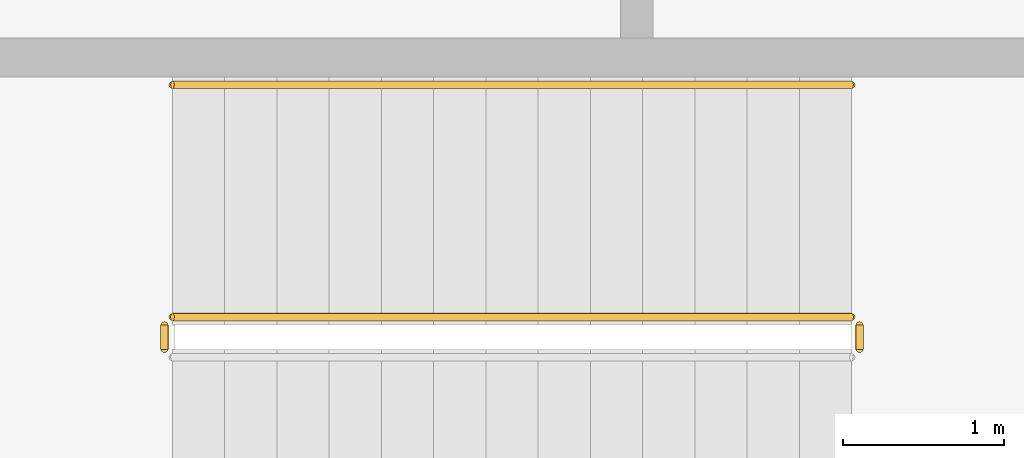
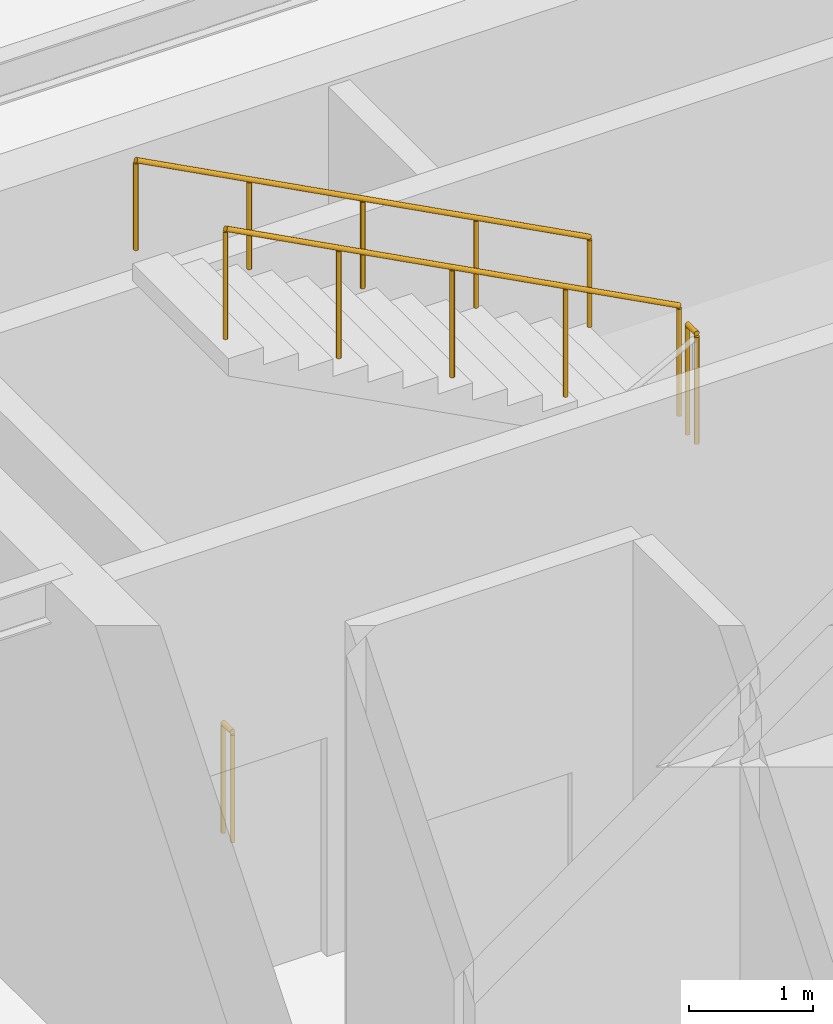
# One storey, part 12 of 14: 4 railings.
"""IFC4 building model written with IfcOpenShell, lengths in metres."""

from ifc_helpers import new_model, si_unit, direction, frame, origin, origin_2d, place, context, subcontext, project, spatial, circle, extrude, material, type_object, element, save


model = new_model("IFC4")

# Units and contexts
model_context = context("Model", 3, precision=1e-05, world=origin(), true_north=direction((0.0, 1.0)))
body_context = subcontext(model_context, "Body", "Model", "MODEL_VIEW")
ifc_project = project(units=[si_unit("LENGTHUNIT", "METRE"), si_unit("AREAUNIT", "SQUARE_METRE"), si_unit("VOLUMEUNIT", "CUBIC_METRE"), si_unit("PLANEANGLEUNIT", "RADIAN"), si_unit("MASSUNIT", "GRAM", prefix="KILO")], contexts=[model_context])

# Site, building, storey
site_placement = place(None, origin())
site = spatial("IfcSite", under=ifc_project, at=site_placement, CompositionType="ELEMENT")
building_placement = place(site_placement, origin())
building = spatial("IfcBuilding", under=site, at=building_placement, Name="Kolvaren Arena Tower", CompositionType="ELEMENT")
storey_placement = place(building_placement, frame((0.0, 0.0, 317.199951171875)))
storey = spatial("IfcBuildingStorey", under=building, at=storey_placement, Name="L78", CompositionType="ELEMENT", Elevation=317.199951171875)

# Railings
ifc_material_1 = material(Name="Painted galvanized steel", Category="steel")
railing_type_1 = type_object("IfcRailingType", Name="GUARD-ST-110", PredefinedType="GUARDRAIL", material=ifc_material_1)
railing_1_placement = place(storey_placement, frame((20.98193359375, 30.43994140625, 2.400146484375)))
element("IfcRailing", 1, at=railing_1_placement, inside=storey, type_object=railing_type_1, Name="L78 ST-W1 stair guard 2", PredefinedType="GUARDRAIL", context=body_context, shape_type="SweptSolid", body=[
    extrude(circle(Radius=0.02392578125, at=origin_2d()), frame((0.0, 0.0, 1.076171875), z_axis=(0.0, 1.0, 0.0), x_axis=(-1.0, 0.0, 0.0)), (0.0, 0.0, 1.0), 0.150146484375),
    extrude(circle(Radius=0.02099609375, at=origin_2d()), origin(), (0.0, 0.0, 1.0), 1.052001953125),
    extrude(circle(Radius=0.02099609375, at=origin_2d()), frame((0.0, 0.150146484375, 0.0)), (0.0, 0.0, 1.0), 1.052001953125),
])
railing_2_placement = place(storey_placement, frame((20.931884765625, 30.639892578125, 2.571533203125)))
element("IfcRailing", 2, at=railing_2_placement, inside=storey, type_object=railing_type_1, Name="L78 ST-W1 stair guard 3", PredefinedType="GUARDRAIL", context=body_context, shape_type="SweptSolid", body=[
    extrude(circle(Radius=0.02392578125, at=origin_2d()), frame((0.0, 0.0, 1.076171875), z_axis=(-0.883902544957, 0.0, 0.467671135542), x_axis=(0.0, -1.0, 0.0)), (0.0, 0.0, 1.0), 4.76513671875),
    extrude(circle(Radius=0.02099609375, at=origin_2d()), origin(), (0.0, 0.0, 1.0), 1.052001953125),
    extrude(circle(Radius=0.02099609375, at=origin_2d()), frame((-1.052978515625, 0.0, 0.55712890625)), (0.0, 0.0, 1.0), 1.052001953125),
    extrude(circle(Radius=0.02099609375, at=origin_2d()), frame((-2.10595703125, 0.0, 1.1142578125)), (0.0, 0.0, 1.0), 1.052001953125),
    extrude(circle(Radius=0.02099609375, at=origin_2d()), frame((-3.158935546875, 0.0, 1.67138671875)), (0.0, 0.0, 1.0), 1.052001953125),
    extrude(circle(Radius=0.02099609375, at=origin_2d()), frame((-4.2119140625, 0.0, 2.228515625)), (0.0, 0.0, 1.0), 1.052001953125),
])
railing_3_placement = place(storey_placement, frame((16.669921875, 30.43994140625, 0.0)))
element("IfcRailing", 3, at=railing_3_placement, inside=storey, type_object=railing_type_1, Name="L78 ST-W1 stair guard 4", PredefinedType="GUARDRAIL", context=body_context, shape_type="SweptSolid", body=[
    extrude(circle(Radius=0.02392578125, at=origin_2d()), frame((0.0, 0.0, 1.076171875), z_axis=(0.0, 1.0, 0.0), x_axis=(-1.0, 0.0, 0.0)), (0.0, 0.0, 1.0), 0.150146484375),
    extrude(circle(Radius=0.02099609375, at=origin_2d()), origin(), (0.0, 0.0, 1.0), 1.052001953125),
    extrude(circle(Radius=0.02099609375, at=origin_2d()), frame((0.0, 0.150146484375, 0.0)), (0.0, 0.0, 1.0), 1.052001953125),
])
ifc_material_2 = material(Name="Brushed stainless steel handrail", Category="steel")
railing_type_2 = type_object("IfcRailingType", Name="HRAIL-900", PredefinedType="HANDRAIL", material=ifc_material_2)
railing_4_placement = place(storey_placement, frame((20.931884765625, 32.080078125, 2.571533203125)))
element("IfcRailing", 4, at=railing_4_placement, inside=storey, type_object=railing_type_2, Name="L78 ST-W1 stair handrail 2", PredefinedType="HANDRAIL", context=body_context, shape_type="SweptSolid", body=[
    extrude(circle(Radius=0.02392578125, at=origin_2d()), frame((0.0, 0.0, 0.8759765625), z_axis=(-0.883902544957, 0.0, 0.467671135542), x_axis=(0.0, -1.0, 0.0)), (0.0, 0.0, 1.0), 4.76513671875),
    extrude(circle(Radius=0.02099609375, at=origin_2d()), origin(), (0.0, 0.0, 1.0), 0.851806640625),
    extrude(circle(Radius=0.02099609375, at=origin_2d()), frame((-1.052978515625, 0.0, 0.55712890625)), (0.0, 0.0, 1.0), 0.851806640625),
    extrude(circle(Radius=0.02099609375, at=origin_2d()), frame((-2.10595703125, 0.0, 1.1142578125)), (0.0, 0.0, 1.0), 0.851806640625),
    extrude(circle(Radius=0.02099609375, at=origin_2d()), frame((-3.158935546875, 0.0, 1.67138671875)), (0.0, 0.0, 1.0), 0.851806640625),
    extrude(circle(Radius=0.02099609375, at=origin_2d()), frame((-4.2119140625, 0.0, 2.228515625)), (0.0, 0.0, 1.0), 0.851806640625),
])

save(model, "model.ifc")
